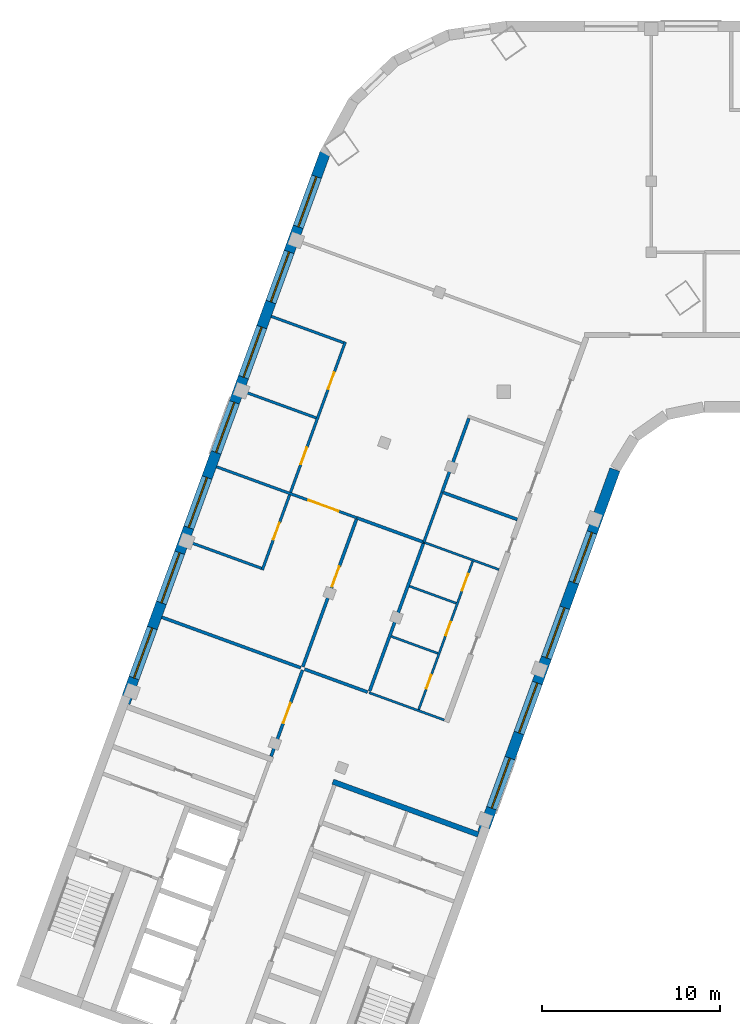
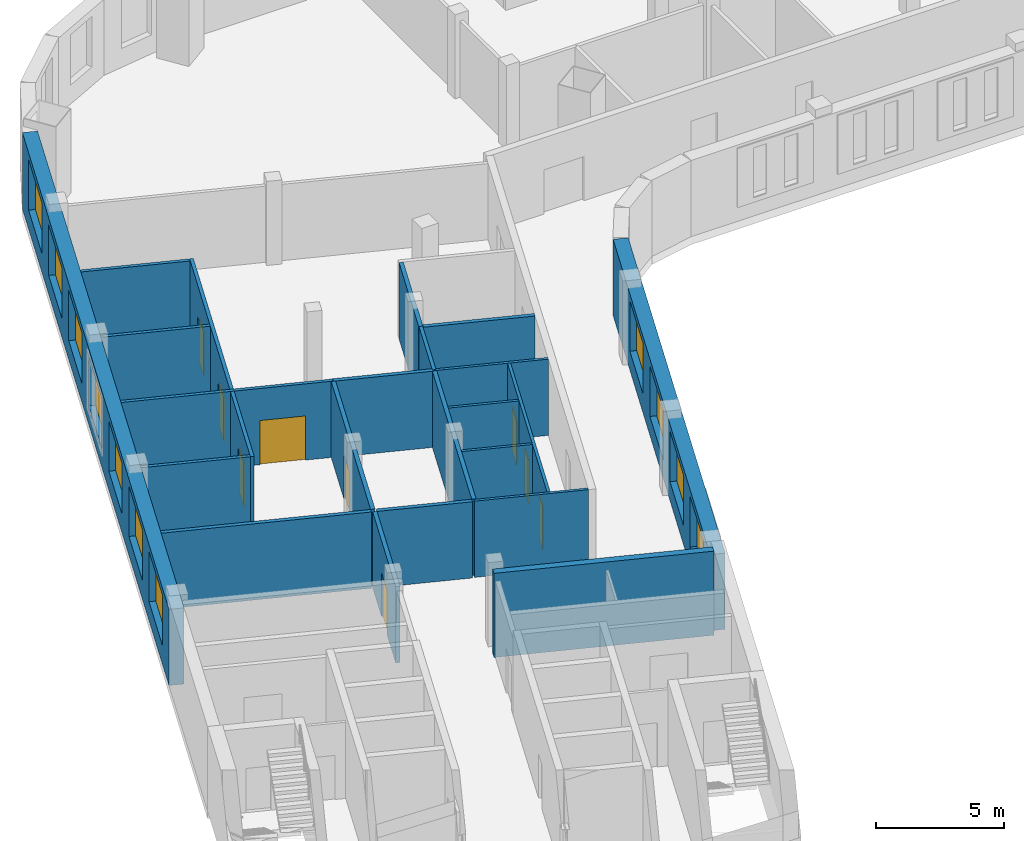
# One storey, part 3 of 8: 22 walls, 11 windows, 9 doors, 20 openings.
"""IFC4 building model written with IfcOpenShell, lengths in metres."""

import ifcopenshell
import ifcopenshell.guid

model = None  # the IFC model being written
_history = None  # IfcOwnerHistory: only IFC2X3 demands one
_inside = {}  # id of a spatial element -> (the spatial element, [elements in it])
_under = {}  # id of a project, library or spatial element -> (it, [spatial elements below it])
_declared = {}  # id of a project -> (the project, [libraries it declares])
_typed = {}  # id of a type object -> (the type object, [elements of that type])
_made_of = {}  # id of a material, layer set ... -> (it, [elements and type objects made of it])


def new_model(schema):
    """Start an empty IFC model of exactly this schema.

    Asked for "IFC4X3", IfcOpenShell would pick the latest addendum, in which some entities
    have other attributes; the version numbers below select the first issue.
    IFC2X3 requires an IfcOwnerHistory on every rooted entity: one is made here for all.
    """
    global model, _history
    if schema == "IFC4X3":
        model = ifcopenshell.file(schema_version=(4, 3, 0, 0))
    else:
        model = ifcopenshell.file(schema=schema)
    _inside.clear()
    _under.clear()
    _declared.clear()
    _typed.clear()
    _made_of.clear()
    _history = None
    if model.schema == "IFC2X3":
        org = make("IfcOrganization", Name="unknown")
        user = make(
            "IfcPersonAndOrganization",
            ThePerson=make("IfcPerson", FamilyName="unknown"),
            TheOrganization=org,
        )
        app = make(
            "IfcApplication",
            ApplicationDeveloper=org,
            Version="unknown",
            ApplicationFullName="unknown",
            ApplicationIdentifier="unknown",
        )
        _history = make(
            "IfcOwnerHistory",
            OwningUser=user,
            OwningApplication=app,
            ChangeAction="ADDED",
            CreationDate=0,
        )
    return model


def make(cls, **values):
    """One entity of the class cls with the attributes given. An attribute that is None is left unset."""
    return model.create_entity(
        cls, **{name: value for name, value in values.items() if value is not None}
    )


def rooted(cls, **values):
    """An entity with a GlobalId (a new one), such as an element, a storey or a relation."""
    return make(cls, GlobalId=ifcopenshell.guid.new(), OwnerHistory=_history, **values)


def si_unit(unit_type, name, prefix=None):
    """IfcSIUnit, for example si_unit("LENGTHUNIT", "METRE", prefix="MILLI")."""
    return make("IfcSIUnit", UnitType=unit_type, Prefix=prefix, Name=name)


def assignment(units):
    """IfcUnitAssignment: the units of a project."""
    return None if units is None else make("IfcUnitAssignment", Units=units)


def point(xyz):
    """IfcCartesianPoint."""
    return None if xyz is None else make("IfcCartesianPoint", Coordinates=xyz)


def direction(xyz):
    """IfcDirection."""
    return None if xyz is None else make("IfcDirection", DirectionRatios=xyz)


def frame(location, z_axis=None, x_axis=None):
    """IfcAxis2Placement3D, a coordinate frame: its origin and axes. An axis left out is left unset."""
    return make(
        "IfcAxis2Placement3D",
        Location=point(location),
        Axis=direction(z_axis),
        RefDirection=direction(x_axis),
    )


def frame_2d(location, x_axis=None):
    """IfcAxis2Placement2D, a coordinate frame in the plane: its origin and x axis."""
    return make(
        "IfcAxis2Placement2D", Location=point(location), RefDirection=direction(x_axis)
    )


def origin():
    """The frame at (0, 0, 0) with its axes left unset."""
    return frame((0.0, 0.0, 0.0))


def place(relative_to, where):
    """IfcLocalPlacement: puts the frame where relative to a parent placement (None: the world)."""
    return make(
        "IfcLocalPlacement", PlacementRelTo=relative_to, RelativePlacement=where
    )


def context(
    kind, dimensions, precision=None, world=None, true_north=None, identifier=None
):
    """IfcGeometricRepresentationContext, for example the 3D "Model" context."""
    return make(
        "IfcGeometricRepresentationContext",
        ContextIdentifier=identifier,
        ContextType=kind,
        CoordinateSpaceDimension=dimensions,
        Precision=precision,
        WorldCoordinateSystem=world,
        TrueNorth=true_north,
    )


def subcontext(parent, identifier, kind, view, scale=None):
    """IfcGeometricRepresentationSubContext, for example "Body" below "Model"."""
    return make(
        "IfcGeometricRepresentationSubContext",
        ContextIdentifier=identifier,
        ContextType=kind,
        ParentContext=parent,
        TargetScale=scale,
        TargetView=view,
    )


def project(units=None, contexts=None):
    """IfcProject with its units and contexts."""
    return rooted(
        "IfcProject",
        Name="project",
        RepresentationContexts=contexts,
        UnitsInContext=assignment(units),
    )


def spatial(cls, under=None, at=None, **own):
    """A site, building, storey or space (cls), placed at a placement, below another one or the project."""
    s = rooted(cls, ObjectPlacement=at, **own)
    if under is not None:
        _under.setdefault(under.id(), (under, []))[1].append(s)
    return s


def profile(cls, at=None, kind="AREA", **sizes):
    """A parametric profile (cls). Its sizes go by their IFC names, for example OverallWidth=200.0."""
    return make(cls, ProfileType=kind, Position=at, **sizes)


def rectangle(**sizes):
    """IfcRectangleProfileDef."""
    return profile("IfcRectangleProfileDef", **sizes)


def extrude(swept, where, along, depth):
    """IfcExtrudedAreaSolid: the profile swept, set in the frame where, extruded along a direction by depth."""
    return make(
        "IfcExtrudedAreaSolid",
        SweptArea=swept,
        Position=where,
        ExtrudedDirection=direction(along),
        Depth=depth,
    )


def shape(context_of_items, identifier, shape_type, items):
    """IfcShapeRepresentation: the items that make up one representation, for example the "Body"."""
    return make(
        "IfcShapeRepresentation",
        ContextOfItems=context_of_items,
        RepresentationIdentifier=identifier,
        RepresentationType=shape_type,
        Items=items,
    )


def material(Name=None, Category=None):
    """IfcMaterial."""
    return make("IfcMaterial", Name=Name, Category=Category)


def layer(
    of_material, thickness, ventilated=None, Name=None, Category=None, Priority=None
):
    """IfcMaterialLayer: one layer of a wall or slab, of a material (None: an air gap)."""
    return make(
        "IfcMaterialLayer",
        Material=of_material,
        LayerThickness=thickness,
        IsVentilated=ventilated,
        Name=Name,
        Category=Category,
        Priority=Priority,
    )


def layer_set(layers, Name=None):
    """IfcMaterialLayerSet."""
    return make("IfcMaterialLayerSet", MaterialLayers=layers, LayerSetName=Name)


def made_of(thing, what):
    """Note that an element or type object is made of a material, layer set ...; save() writes the relation."""
    if what is not None:
        _made_of.setdefault(what.id(), (what, []))[1].append(thing)
    return thing


def type_object(cls, material=None, **own):
    """A type object (cls), such as IfcWallType, which elements share."""
    return made_of(rooted(cls, **own), material)


def element(
    cls,
    number,
    at=None,
    inside=None,
    cuts=None,
    type_object=None,
    material=None,
    context=None,
    identifier="Body",
    shape_type=None,
    held_by="IfcProductDefinitionShape",
    body=None,
    shapes=None,
    **own,
):
    """One element of the class cls, such as IfcWall. Its Tag is "e" and its number.

    at: its placement. inside: the storey or other place that contains it. cuts: it is an
    opening in that element (IfcRelVoidsElement). A single representation is given by context,
    identifier, shape_type and body (its items); several are given by shapes. held_by: the class
    of the entity that holds the representations. save() writes the other relations.
    """
    e = rooted(cls, Tag="e%d" % number, ObjectPlacement=at, **own)
    if body is not None:
        shapes = [shape(context, identifier, shape_type, body)]
    if shapes is not None:
        e.Representation = make(held_by, Representations=shapes)
    if inside is not None:
        _inside.setdefault(inside.id(), (inside, []))[1].append(e)
    if cuts is not None:
        rooted(
            "IfcRelVoidsElement", RelatingBuildingElement=cuts, RelatedOpeningElement=e
        )
    if type_object is not None:
        _typed.setdefault(type_object.id(), (type_object, []))[1].append(e)
    return made_of(e, material)


def fill(opening, filler):
    """IfcRelFillsElement: the door or window that sits in an opening."""
    return rooted(
        "IfcRelFillsElement",
        RelatingOpeningElement=opening,
        RelatedBuildingElement=filler,
    )


def aggregate(whole, parts):
    """IfcRelAggregates: a whole, such as a stair, and the parts it consists of."""
    return rooted("IfcRelAggregates", RelatingObject=whole, RelatedObjects=parts)


def save(model, path):
    """Write the relations noted so far, then the file.

    IfcRelAggregates (storeys below a building ...), IfcRelContainedInSpatialStructure (elements
    in a storey), IfcRelDefinesByType, IfcRelAssociatesMaterial and IfcRelDeclares: one each for
    every whole, place, type object, material and project.
    """
    for whole, parts in _under.values():
        aggregate(whole, parts)
    for where, things in _inside.values():
        rooted(
            "IfcRelContainedInSpatialStructure",
            RelatedElements=things,
            RelatingStructure=where,
        )
    for kind, things in _typed.values():
        rooted("IfcRelDefinesByType", RelatedObjects=things, RelatingType=kind)
    for what, things in _made_of.values():
        rooted("IfcRelAssociatesMaterial", RelatedObjects=things, RelatingMaterial=what)
    for by, libraries in _declared.values():
        rooted("IfcRelDeclares", RelatingContext=by, RelatedDefinitions=libraries)
    model.write(path)


model = new_model("IFC4")

# Units and contexts
model_context = context("Model", 3, precision=1e-05, world=origin(), true_north=direction((0.0, 1.0)))
body_context = subcontext(model_context, "Body", "Model", "MODEL_VIEW")
ifc_project = project(units=[si_unit("LENGTHUNIT", "METRE"), si_unit("AREAUNIT", "SQUARE_METRE"), si_unit("VOLUMEUNIT", "CUBIC_METRE"), si_unit("PLANEANGLEUNIT", "RADIAN"), si_unit("MASSUNIT", "GRAM", prefix="KILO")], contexts=[model_context])

# Site, building, storey
site_placement = place(None, origin())
site = spatial("IfcSite", under=ifc_project, at=site_placement, CompositionType="ELEMENT")
building_placement = place(site_placement, origin())
building = spatial("IfcBuilding", under=site, at=building_placement, Name="Skarvind Civic Tower", CompositionType="ELEMENT")
storey_placement = place(building_placement, frame((0.0, 0.0, 232.0)))
storey = spatial("IfcBuildingStorey", under=building, at=storey_placement, Name="L55", CompositionType="ELEMENT", Elevation=232.0)

# Wall
ifc_material_1 = material(Name="Acoustic gypsum board on steel studs", Category="steel")
ifc_layer_1 = layer(ifc_material_1, 0.175048828125)
ifc_layer_set_1 = layer_set([ifc_layer_1], Name="ACOUSTIC MEETING-ROOM PARTITION 175")
wall_type_1 = type_object("IfcWallType", Name="ACOUSTIC MEETING-ROOM PARTITION 175", PredefinedType="PARTITIONING", material=ifc_layer_set_1)
wall_1_placement = place(storey_placement, frame((26.736083984375, 105.47998046875, 0.0), z_axis=(0.0, 0.0, 1.0), x_axis=(0.939705074886, -0.341985924028, 0.0)))
element("IfcWall", 1, at=wall_1_placement, inside=storey, type_object=wall_type_1, Name="Partition 55.001", PredefinedType="PARTITIONING", context=body_context, shape_type="SweptSolid", body=[
    extrude(rectangle(XDim=8.313232421875, YDim=0.175048828125, at=frame_2d((4.15673828125, 0.0))), origin(), (0.0, 0.0, 1.0), 3.625),
])

# Wall, opening, door
wall_2_placement = place(storey_placement, frame((32.881103515625, 97.656982421875, 0.0), z_axis=(0.0, 0.0, 1.0), x_axis=(0.342058204353, 0.939678766832, 0.0)))
wall_2 = element("IfcWall", 2, at=wall_2_placement, inside=storey, type_object=wall_type_1, Name="Partition 55.009", PredefinedType="PARTITIONING", context=body_context, shape_type="SweptSolid", body=[
    extrude(rectangle(XDim=5.16259765625, YDim=0.175048828125, at=frame_2d((2.581298828125, 0.0))), origin(), (0.0, 0.0, 1.0), 3.625),
])
opening_1_placement = place(wall_2_placement, frame((1.9912109375, 0.0, 0.0)))
opening_1 = element("IfcOpeningElement", 3, at=opening_1_placement, cuts=wall_2, Name="Opening L55-D007", PredefinedType="OPENING", context=body_context, shape_type="SweptSolid", body=[
    extrude(rectangle(XDim=1.199951171875, YDim=2.10009765625, at=frame_2d((0.60009765625, 1.050048828125))), frame((0.0, 0.097412109375, 0.0), z_axis=(0.0, -1.0, 0.0), x_axis=(1.0, 0.0, 0.0)), (0.0, 0.0, 1.0), 0.195068359375),
])
ifc_material_2 = material(Name="Timber door leaf", Category="wood")
door_type_1 = type_object("IfcDoorType", Name="DOOR 1200X2100 DOUBLE TIMBER", OperationType="NOTDEFINED", PredefinedType="DOOR", material=ifc_material_2)
door_1_placement = place(opening_1_placement, origin())
door_1 = element("IfcDoor", 4, at=door_1_placement, inside=storey, type_object=door_type_1, Name="Door L55-D007", OperationType="DOUBLE_DOOR_SINGLE_SWING", OverallHeight=2.10009765625, OverallWidth=1.199951171875, PredefinedType="DOOR", context=body_context, shape_type="SweptSolid", body=[
    extrude(rectangle(XDim=1.199951171875, YDim=2.10009765625, at=frame_2d((0.60009765625, 1.050048828125))), frame((0.0, 0.02490234375, 0.0), z_axis=(0.0, -1.0, 0.0), x_axis=(1.0, 0.0, 0.0)), (0.0, 0.0, 1.0), 0.050048828125),
])
fill(opening_1, door_1)

# Wall
wall_3_placement = place(storey_placement, frame((34.759033203125, 102.56005859375, 0.0), z_axis=(0.0, 0.0, 1.0), x_axis=(0.939770757411, -0.341805388365, 0.0)))
element("IfcWall", 5, at=wall_3_placement, inside=storey, type_object=wall_type_1, Name="Partition 55.010", PredefinedType="PARTITIONING", context=body_context, shape_type="SweptSolid", body=[
    extrude(rectangle(XDim=3.774169921875, YDim=0.175048828125, at=frame_2d((1.88720703125, 0.0))), origin(), (0.0, 0.0, 1.0), 3.625),
])

# Wall, opening, door
wall_4_placement = place(storey_placement, frame((34.659912109375, 102.68896484375, 0.0), z_axis=(0.0, 0.0, 1.0), x_axis=(0.341951828534, 0.939717482524, 0.0)))
wall_4 = element("IfcWall", 6, at=wall_4_placement, inside=storey, type_object=wall_type_1, Name="Partition 55.011", PredefinedType="PARTITIONING", context=body_context, shape_type="SweptSolid", body=[
    extrude(rectangle(XDim=8.825927734375, YDim=0.175048828125, at=frame_2d((4.4130859375, 0.0))), origin(), (0.0, 0.0, 1.0), 3.625),
])
opening_2_placement = place(wall_4_placement, frame((4.81298828125, 0.0, 0.0)))
opening_2 = element("IfcOpeningElement", 7, at=opening_2_placement, cuts=wall_4, Name="Opening L55-D020", PredefinedType="OPENING", context=body_context, shape_type="SweptSolid", body=[
    extrude(rectangle(XDim=1.199951171875, YDim=2.10009765625, at=frame_2d((0.60009765625, 1.050048828125))), frame((0.0, 0.097412109375, 0.0), z_axis=(0.0, -1.0, 0.0), x_axis=(1.0, 0.0, 0.0)), (0.0, 0.0, 1.0), 0.195068359375),
])
door_2_placement = place(opening_2_placement, origin())
door_2 = element("IfcDoor", 8, at=door_2_placement, inside=storey, type_object=door_type_1, Name="Door L55-D020", OperationType="DOUBLE_DOOR_SINGLE_SWING", OverallHeight=2.10009765625, OverallWidth=1.199951171875, PredefinedType="DOOR", context=body_context, shape_type="SweptSolid", body=[
    extrude(rectangle(XDim=1.199951171875, YDim=2.10009765625, at=frame_2d((0.60009765625, 1.050048828125))), frame((0.0, 0.02490234375, 0.0), z_axis=(0.0, -1.0, 0.0), x_axis=(1.0, 0.0, 0.0)), (0.0, 0.0, 1.0), 0.050048828125),
])
fill(opening_2, door_2)

# Walls
wall_5_placement = place(storey_placement, frame((38.41796875, 101.322021484375, 0.0), z_axis=(0.0, 0.0, 1.0), x_axis=(0.342101536507, 0.939662992099, 0.0)))
element("IfcWall", 9, at=wall_5_placement, inside=storey, type_object=wall_type_1, Name="Partition 55.014", PredefinedType="PARTITIONING", context=body_context, shape_type="SweptSolid", body=[
    extrude(rectangle(XDim=8.912841796875, YDim=0.175048828125, at=frame_2d((4.45654296875, 0.0))), origin(), (0.0, 0.0, 1.0), 3.625),
])
wall_6_placement = place(storey_placement, frame((41.467041015625, 109.697021484375, 0.0), z_axis=(0.0, 0.0, 1.0), x_axis=(-0.939713209288, 0.341963571582, 0.0)))
element("IfcWall", 10, at=wall_6_placement, inside=storey, type_object=wall_type_1, Name="Partition 55.017", PredefinedType="PARTITIONING", context=body_context, shape_type="SweptSolid", body=[
    extrude(rectangle(XDim=4.000244140625, YDim=0.175048828125, at=frame_2d((2.0, 0.0))), origin(), (0.0, 0.0, 1.0), 3.625),
])
wall_7_placement = place(storey_placement, frame((42.574951171875, 112.486083984375, 0.0), z_axis=(0.0, 0.0, 1.0), x_axis=(0.939620446327, -0.342218375959, 0.0)))
element("IfcWall", 11, at=wall_7_placement, inside=storey, type_object=wall_type_1, Name="Partition 55.022", PredefinedType="PARTITIONING", context=body_context, shape_type="SweptSolid", body=[
    extrude(rectangle(XDim=4.412353515625, YDim=0.175048828125, at=frame_2d((2.2060546875, 0.0))), origin(), (0.0, 0.0, 1.0), 3.625),
])
wall_8_placement = place(storey_placement, frame((44.001953125, 116.662109375, 0.0), z_axis=(0.0, 0.0, 1.0), x_axis=(-0.342022951975, -0.939691598517, 0.0)))
element("IfcWall", 12, at=wall_8_placement, inside=storey, type_object=wall_type_1, Name="Partition 55.026", PredefinedType="PARTITIONING", context=body_context, shape_type="SweptSolid", body=[
    extrude(rectangle(XDim=4.412109375, YDim=0.175048828125, at=frame_2d((2.2060546875, 0.0))), origin(), (0.0, 0.0, 1.0), 3.625),
])
ifc_material_3 = material(Name="Concrete C60", Category="concrete")
ifc_layer_2 = layer(ifc_material_3, 0.300048828125)
ifc_layer_set_2 = layer_set([ifc_layer_2], Name="Core wall 300 C60")
wall_type_2 = type_object("IfcWallType", Name="Core wall 300 C60", PredefinedType="SHEAR", material=ifc_layer_set_2)
wall_9_placement = place(storey_placement, frame((44.52880859375, 93.258056640625, 0.0), z_axis=(0.0, 0.0, 1.0), x_axis=(-0.9396917844, 0.342022441267, 0.0)))
element("IfcWall", 13, at=wall_9_placement, inside=storey, type_object=wall_type_2, Name="Core wall C2 south inner face L55", PredefinedType="SHEAR", context=body_context, shape_type="SweptSolid", body=[
    extrude(rectangle(XDim=8.699951171875, YDim=0.300048828125, at=frame_2d((4.35009765625, 0.0))), origin(), (0.0, 0.0, 1.0), 4.0),
])

# Wall, opening, door
ifc_material_4 = material(Name="Plasterboard partition on steel studs", Category="steel")
ifc_layer_3 = layer(ifc_material_4, 0.14990234375)
ifc_layer_set_3 = layer_set([ifc_layer_3], Name="PARTITION 150")
wall_type_3 = type_object("IfcWallType", Name="PARTITION 150", PredefinedType="PARTITIONING", material=ifc_layer_set_3)
wall_10_placement = place(storey_placement, frame((29.81396484375, 113.93798828125, 0.0), z_axis=(0.0, 0.0, 1.0), x_axis=(0.939698351515, -0.342004397867, 0.0)))
wall_10 = element("IfcWall", 14, at=wall_10_placement, inside=storey, type_object=wall_type_3, Name="Partition 55.002", PredefinedType="PARTITIONING", context=body_context, shape_type="SweptSolid", body=[
    extrude(rectangle(XDim=8.400634765625, YDim=0.14990234375, at=frame_2d((4.2001953125, 0.0))), origin(), (0.0, 0.0, 1.0), 3.625),
])
opening_3_placement = place(wall_10_placement, frame((5.50048828125, 0.0, 0.0)))
opening_3 = element("IfcOpeningElement", 15, at=opening_3_placement, cuts=wall_10, Name="Opening L55-D013", PredefinedType="OPENING", context=body_context, shape_type="SweptSolid", body=[
    extrude(rectangle(XDim=1.800048828125, YDim=2.10009765625, at=frame_2d((0.89990234375, 1.050048828125))), frame((0.0, 0.0849609375, 0.0), z_axis=(0.0, -1.0, 0.0), x_axis=(1.0, 0.0, 0.0)), (0.0, 0.0, 1.0), 0.169921875),
])
door_type_2 = type_object("IfcDoorType", Name="D4 1800x2100", OperationType="NOTDEFINED", PredefinedType="DOOR", material=ifc_material_2)
door_3_placement = place(opening_3_placement, origin())
door_3 = element("IfcDoor", 16, at=door_3_placement, inside=storey, type_object=door_type_2, Name="Door L55-D013", OperationType="DOUBLE_DOOR_SINGLE_SWING", OverallHeight=2.10009765625, OverallWidth=1.800048828125, PredefinedType="DOOR", context=body_context, shape_type="SweptSolid", body=[
    extrude(rectangle(XDim=1.800048828125, YDim=2.10009765625, at=frame_2d((0.89990234375, 1.050048828125))), frame((0.0, 0.02490234375, 0.0), z_axis=(0.0, -1.0, 0.0), x_axis=(1.0, 0.0, 0.0)), (0.0, 0.0, 1.0), 0.050048828125),
])
fill(opening_3, door_3)

# Walls
wall_11_placement = place(storey_placement, frame((31.35302734375, 118.166015625, 0.0), z_axis=(0.0, 0.0, 1.0), x_axis=(0.939803311208, -0.341715870634, 0.0)))
element("IfcWall", 17, at=wall_11_placement, inside=storey, type_object=wall_type_3, Name="Partition 55.003", PredefinedType="PARTITIONING", context=body_context, shape_type="SweptSolid", body=[
    extrude(rectangle(XDim=4.3251953125, YDim=0.14990234375, at=frame_2d((2.16259765625, 0.0))), origin(), (0.0, 0.0, 1.0), 3.625),
])
wall_12_placement = place(storey_placement, frame((32.340087890625, 108.22998046875, 0.0), z_axis=(0.0, 0.0, 1.0), x_axis=(-0.939737385516, 0.341897128188, 0.0)))
element("IfcWall", 18, at=wall_12_placement, inside=storey, type_object=wall_type_3, Name="Partition 55.004", PredefinedType="PARTITIONING", context=body_context, shape_type="SweptSolid", body=[
    extrude(rectangle(XDim=4.325927734375, YDim=0.14990234375, at=frame_2d((2.1630859375, 0.0))), origin(), (0.0, 0.0, 1.0), 3.625),
])

# Wall, openings, doors
wall_13_placement = place(storey_placement, frame((37.052978515625, 120.9599609375, 0.0), z_axis=(0.0, 0.0, 1.0), x_axis=(-0.342064742067, -0.939676386973, 0.0)))
wall_13 = element("IfcWall", 19, at=wall_13_placement, inside=storey, type_object=wall_type_3, Name="Partition 55.005", PredefinedType="PARTITIONING", context=body_context, shape_type="SweptSolid", body=[
    extrude(rectangle(XDim=13.6494140625, YDim=0.14990234375, at=frame_2d((6.82470703125, 0.0))), origin(), (0.0, 0.0, 1.0), 3.625),
])
opening_4_placement = place(wall_13_placement, frame((10.824462890625, 0.0, 0.0)))
opening_4 = element("IfcOpeningElement", 20, at=opening_4_placement, cuts=wall_13, Name="Opening L55-D012", PredefinedType="OPENING", context=body_context, shape_type="SweptSolid", body=[
    extrude(rectangle(XDim=1.0, YDim=2.10009765625, at=frame_2d((0.5, 1.050048828125))), frame((0.0, 0.0849609375, 0.0), z_axis=(0.0, -1.0, 0.0), x_axis=(1.0, 0.0, 0.0)), (0.0, 0.0, 1.0), 0.169921875),
])
opening_5_placement = place(wall_13_placement, frame((6.32421875, 0.0, 0.0)))
opening_5 = element("IfcOpeningElement", 21, at=opening_5_placement, cuts=wall_13, Name="Opening L55-D016", PredefinedType="OPENING", context=body_context, shape_type="SweptSolid", body=[
    extrude(rectangle(XDim=1.0, YDim=2.10009765625, at=frame_2d((0.5, 1.050048828125))), frame((0.0, 0.0849609375, 0.0), z_axis=(0.0, -1.0, 0.0), x_axis=(1.0, 0.0, 0.0)), (0.0, 0.0, 1.0), 0.169921875),
])
opening_6_placement = place(wall_13_placement, frame((1.82421875, 0.0, 0.0)))
opening_6 = element("IfcOpeningElement", 22, at=opening_6_placement, cuts=wall_13, Name="Opening L55-D017", PredefinedType="OPENING", context=body_context, shape_type="SweptSolid", body=[
    extrude(rectangle(XDim=1.0, YDim=2.10009765625, at=frame_2d((0.5, 1.050048828125))), frame((0.0, 0.0849609375, 0.0), z_axis=(0.0, -1.0, 0.0), x_axis=(1.0, 0.0, 0.0)), (0.0, 0.0, 1.0), 0.169921875),
])
door_type_3 = type_object("IfcDoorType", Name="D1 1000x2100", OperationType="NOTDEFINED", PredefinedType="DOOR", material=ifc_material_2)
door_4_placement = place(opening_4_placement, origin())
door_4 = element("IfcDoor", 23, at=door_4_placement, inside=storey, type_object=door_type_3, Name="Door L55-D012", OperationType="SINGLE_SWING_LEFT", OverallHeight=2.10009765625, OverallWidth=1.0, PredefinedType="DOOR", context=body_context, shape_type="SweptSolid", body=[
    extrude(rectangle(XDim=1.0, YDim=2.10009765625, at=frame_2d((0.5, 1.050048828125))), frame((0.0, 0.02490234375, 0.0), z_axis=(0.0, -1.0, 0.0), x_axis=(1.0, 0.0, 0.0)), (0.0, 0.0, 1.0), 0.050048828125),
])
fill(opening_4, door_4)
door_5_placement = place(opening_5_placement, origin())
door_5 = element("IfcDoor", 24, at=door_5_placement, inside=storey, type_object=door_type_3, Name="Door L55-D016", OperationType="SINGLE_SWING_RIGHT", OverallHeight=2.10009765625, OverallWidth=1.0, PredefinedType="DOOR", context=body_context, shape_type="SweptSolid", body=[
    extrude(rectangle(XDim=1.0, YDim=2.10009765625, at=frame_2d((0.5, 1.050048828125))), frame((0.0, 0.02490234375, 0.0), z_axis=(0.0, -1.0, 0.0), x_axis=(1.0, 0.0, 0.0)), (0.0, 0.0, 1.0), 0.050048828125),
])
fill(opening_5, door_5)
door_6_placement = place(opening_6_placement, origin())
door_6 = element("IfcDoor", 25, at=door_6_placement, inside=storey, type_object=door_type_3, Name="Door L55-D017", OperationType="SINGLE_SWING_LEFT", OverallHeight=2.10009765625, OverallWidth=1.0, PredefinedType="DOOR", context=body_context, shape_type="SweptSolid", body=[
    extrude(rectangle(XDim=1.0, YDim=2.10009765625, at=frame_2d((0.5, 1.050048828125))), frame((0.0, 0.02490234375, 0.0), z_axis=(0.0, -1.0, 0.0), x_axis=(1.0, 0.0, 0.0)), (0.0, 0.0, 1.0), 0.050048828125),
])
fill(opening_6, door_6)

# Walls
wall_14_placement = place(storey_placement, frame((32.89208984375, 122.39501953125, 0.0), z_axis=(0.0, 0.0, 1.0), x_axis=(0.93973078783, -0.341915262023, 0.0)))
element("IfcWall", 26, at=wall_14_placement, inside=storey, type_object=wall_type_3, Name="Partition 55.006", PredefinedType="PARTITIONING", context=body_context, shape_type="SweptSolid", body=[
    extrude(rectangle(XDim=4.32568359375, YDim=0.14990234375, at=frame_2d((2.162841796875, 0.0))), origin(), (0.0, 0.0, 1.0), 3.625),
])
wall_15_placement = place(storey_placement, frame((42.492919921875, 112.51611328125, 0.0), z_axis=(0.0, 0.0, 1.0), x_axis=(-0.341965219194, -0.939712609717, 0.0)))
element("IfcWall", 27, at=wall_15_placement, inside=storey, type_object=wall_type_3, Name="Partition 55.021", PredefinedType="PARTITIONING", context=body_context, shape_type="SweptSolid", body=[
    extrude(rectangle(XDim=3.0, YDim=0.14990234375, at=frame_2d((1.5, 0.0))), origin(), (0.0, 0.0, 1.0), 3.625),
])
ifc_material_5 = material(Name="Moisture-resistant gypsum board on steel studs", Category="steel")
ifc_layer_4 = layer(ifc_material_5, 0.125)
ifc_layer_set_4 = layer_set([ifc_layer_4], Name="WC PARTITION 125")
wall_type_4 = type_object("IfcWallType", Name="WC PARTITION 125", PredefinedType="PARTITIONING", material=ifc_layer_set_4)
wall_16_placement = place(storey_placement, frame((38.385009765625, 101.239990234375, 0.0), z_axis=(0.0, 0.0, 1.0), x_axis=(0.939711088937, -0.341969398235, 0.0)))
element("IfcWall", 28, at=wall_16_placement, inside=storey, type_object=wall_type_4, Name="Partition 55.012", PredefinedType="PARTITIONING", context=body_context, shape_type="SweptSolid", body=[
    extrude(rectangle(XDim=4.50341796875, YDim=0.125, at=frame_2d((2.251708984375, 0.0))), origin(), (0.0, 0.0, 1.0), 3.625),
])

# Wall, openings, doors
wall_17_placement = place(storey_placement, frame((41.180908203125, 100.2900390625, 0.0), z_axis=(0.0, 0.0, 1.0), x_axis=(0.34222012082, 0.939619810831, 0.0)))
wall_17 = element("IfcWall", 29, at=wall_17_placement, inside=storey, type_object=wall_type_4, Name="Partition 55.016", PredefinedType="PARTITIONING", context=body_context, shape_type="SweptSolid", body=[
    extrude(rectangle(XDim=8.874755859375, YDim=0.125, at=frame_2d((4.4375, 0.0))), origin(), (0.0, 0.0, 1.0), 3.625),
])
opening_7_placement = place(wall_17_placement, frame((1.25830078125, 0.0, 0.0)))
opening_7 = element("IfcOpeningElement", 30, at=opening_7_placement, cuts=wall_17, Name="Opening L55-D009", PredefinedType="OPENING", context=body_context, shape_type="SweptSolid", body=[
    extrude(rectangle(XDim=0.800048828125, YDim=2.10009765625, at=frame_2d((0.39990234375, 1.050048828125))), frame((0.0, 0.072509765625, 0.0), z_axis=(0.0, -1.0, 0.0), x_axis=(1.0, 0.0, 0.0)), (0.0, 0.0, 1.0), 0.14501953125),
])
opening_8_placement = place(wall_17_placement, frame((4.43701171875, 0.0, 0.0)))
opening_8 = element("IfcOpeningElement", 31, at=opening_8_placement, cuts=wall_17, Name="Opening L55-D010", PredefinedType="OPENING", context=body_context, shape_type="SweptSolid", body=[
    extrude(rectangle(XDim=0.800048828125, YDim=2.10009765625, at=frame_2d((0.39990234375, 1.050048828125))), frame((0.0, 0.072509765625, 0.0), z_axis=(0.0, -1.0, 0.0), x_axis=(1.0, 0.0, 0.0)), (0.0, 0.0, 1.0), 0.14501953125),
])
opening_9_placement = place(wall_17_placement, frame((7.1162109375, 0.0, 0.0)))
opening_9 = element("IfcOpeningElement", 32, at=opening_9_placement, cuts=wall_17, Name="Opening L55-D011", PredefinedType="OPENING", context=body_context, shape_type="SweptSolid", body=[
    extrude(rectangle(XDim=1.0, YDim=2.10009765625, at=frame_2d((0.5, 1.050048828125))), frame((0.0, 0.072509765625, 0.0), z_axis=(0.0, -1.0, 0.0), x_axis=(1.0, 0.0, 0.0)), (0.0, 0.0, 1.0), 0.14501953125),
])
door_7_placement = place(opening_9_placement, origin())
door_7 = element("IfcDoor", 33, at=door_7_placement, inside=storey, type_object=door_type_3, Name="Door L55-D011", OperationType="SINGLE_SWING_LEFT", OverallHeight=2.10009765625, OverallWidth=1.0, PredefinedType="DOOR", context=body_context, shape_type="SweptSolid", body=[
    extrude(rectangle(XDim=1.0, YDim=2.10009765625, at=frame_2d((0.5, 1.050048828125))), frame((0.0, 0.02490234375, 0.0), z_axis=(0.0, -1.0, 0.0), x_axis=(1.0, 0.0, 0.0)), (0.0, 0.0, 1.0), 0.050048828125),
])
fill(opening_9, door_7)
door_type_4 = type_object("IfcDoorType", Name="DOOR 800X2100 TIMBER", OperationType="NOTDEFINED", PredefinedType="DOOR", material=ifc_material_2)
door_8_placement = place(opening_7_placement, origin())
door_8 = element("IfcDoor", 34, at=door_8_placement, inside=storey, type_object=door_type_4, Name="Door L55-D009", OperationType="SINGLE_SWING_LEFT", OverallHeight=2.10009765625, OverallWidth=0.800048828125, PredefinedType="DOOR", context=body_context, shape_type="SweptSolid", body=[
    extrude(rectangle(XDim=0.800048828125, YDim=2.10009765625, at=frame_2d((0.39990234375, 1.050048828125))), frame((0.0, 0.02490234375, 0.0), z_axis=(0.0, -1.0, 0.0), x_axis=(1.0, 0.0, 0.0)), (0.0, 0.0, 1.0), 0.050048828125),
])
fill(opening_7, door_8)
door_9_placement = place(opening_8_placement, origin())
door_9 = element("IfcDoor", 35, at=door_9_placement, inside=storey, type_object=door_type_4, Name="Door L55-D010", OperationType="SINGLE_SWING_LEFT", OverallHeight=2.10009765625, OverallWidth=0.800048828125, PredefinedType="DOOR", context=body_context, shape_type="SweptSolid", body=[
    extrude(rectangle(XDim=0.800048828125, YDim=2.10009765625, at=frame_2d((0.39990234375, 1.050048828125))), frame((0.0, 0.02490234375, 0.0), z_axis=(0.0, -1.0, 0.0), x_axis=(1.0, 0.0, 0.0)), (0.0, 0.0, 1.0), 0.050048828125),
])
fill(opening_8, door_9)

# Walls
wall_18_placement = place(storey_placement, frame((41.467041015625, 109.697021484375, 0.0), z_axis=(0.0, 0.0, 1.0), x_axis=(0.939609529273, -0.342248349154, 0.0)))
element("IfcWall", 36, at=wall_18_placement, inside=storey, type_object=wall_type_4, Name="Partition 55.018", PredefinedType="PARTITIONING", context=body_context, shape_type="SweptSolid", body=[
    extrude(rectangle(XDim=4.499755859375, YDim=0.125, at=frame_2d((2.25, 0.0))), origin(), (0.0, 0.0, 1.0), 3.625),
])
wall_19_placement = place(storey_placement, frame((42.263916015625, 103.446044921875, 0.0), z_axis=(0.0, 0.0, 1.0), x_axis=(-0.939640574808, 0.342163104635, 0.0)))
element("IfcWall", 37, at=wall_19_placement, inside=storey, type_object=wall_type_4, Name="Partition 55.019", PredefinedType="PARTITIONING", context=body_context, shape_type="SweptSolid", body=[
    extrude(rectangle(XDim=2.7998046875, YDim=0.125, at=frame_2d((1.39990234375, 0.0))), origin(), (0.0, 0.0, 1.0), 3.625),
])
wall_20_placement = place(storey_placement, frame((43.2900390625, 106.26611328125, 0.0), z_axis=(0.0, 0.0, 1.0), x_axis=(-0.939650782256, 0.342135071873, 0.0)))
element("IfcWall", 38, at=wall_20_placement, inside=storey, type_object=wall_type_4, Name="Partition 55.024", PredefinedType="PARTITIONING", context=body_context, shape_type="SweptSolid", body=[
    extrude(rectangle(XDim=2.800048828125, YDim=0.125, at=frame_2d((1.39990234375, 0.0))), origin(), (0.0, 0.0, 1.0), 3.625),
])

# Wall, openings, windows
ifc_material_6 = material(Name="Limestone masonry cladding on insulated backing", Category="masonry")
ifc_layer_5 = layer(ifc_material_6, 0.60009765625)
ifc_layer_set_5 = layer_set([ifc_layer_5], Name="WX1 STONE FACADE WALL 600")
wall_type_5 = type_object("IfcWallType", Name="WX1 STONE FACADE WALL 600", PredefinedType="SOLIDWALL", material=ifc_layer_set_5)
wall_21_placement = place(storey_placement, frame((52.212158203125, 113.78271484375, 0.0), z_axis=(0.0, 0.0, 1.0), x_axis=(-0.34202521188, -0.939690775968, 0.0)))
wall_21 = element("IfcWall", 39, at=wall_21_placement, inside=storey, type_object=wall_type_5, Name="STONE FACADE WALL", PredefinedType="SOLIDWALL", context=body_context, shape_type="SweptSolid", body=[
    extrude(rectangle(XDim=21.744873046875, YDim=0.60009765625, at=frame_2d((10.87255859375, 0.0))), origin(), (0.0, 0.0, 1.0), 3.625),
])
opening_10_placement = place(wall_21_placement, frame((3.764892578125, 0.0, 0.89990234375)))
opening_10 = element("IfcOpeningElement", 40, at=opening_10_placement, cuts=wall_21, Name="Opening WN1", PredefinedType="OPENING", context=body_context, shape_type="SweptSolid", body=[
    extrude(rectangle(XDim=3.0, YDim=2.39990234375, at=frame_2d((1.5, 1.199951171875))), frame((0.0, 0.31005859375, 0.0), z_axis=(0.0, -1.0, 0.0), x_axis=(1.0, 0.0, 0.0)), (0.0, 0.0, 1.0), 0.6201171875),
])
opening_11_placement = place(wall_21_placement, frame((8.264892578125, 0.0, 0.89990234375)))
opening_11 = element("IfcOpeningElement", 41, at=opening_11_placement, cuts=wall_21, Name="Opening WN1", PredefinedType="OPENING", context=body_context, shape_type="SweptSolid", body=[
    extrude(rectangle(XDim=3.0, YDim=2.39990234375, at=frame_2d((1.5, 1.199951171875))), frame((0.0, 0.31005859375, 0.0), z_axis=(0.0, -1.0, 0.0), x_axis=(1.0, 0.0, 0.0)), (0.0, 0.0, 1.0), 0.6201171875),
])
opening_12_placement = place(wall_21_placement, frame((12.764892578125, 0.0, 0.89990234375)))
opening_12 = element("IfcOpeningElement", 42, at=opening_12_placement, cuts=wall_21, Name="Opening WN1", PredefinedType="OPENING", context=body_context, shape_type="SweptSolid", body=[
    extrude(rectangle(XDim=3.0, YDim=2.39990234375, at=frame_2d((1.5, 1.199951171875))), frame((0.0, 0.31005859375, 0.0), z_axis=(0.0, -1.0, 0.0), x_axis=(1.0, 0.0, 0.0)), (0.0, 0.0, 1.0), 0.6201171875),
])
opening_13_placement = place(wall_21_placement, frame((17.264892578125, 0.0, 0.89990234375)))
opening_13 = element("IfcOpeningElement", 43, at=opening_13_placement, cuts=wall_21, Name="Opening WN1", PredefinedType="OPENING", context=body_context, shape_type="SweptSolid", body=[
    extrude(rectangle(XDim=3.0, YDim=2.39990234375, at=frame_2d((1.5, 1.199951171875))), frame((0.0, 0.31005859375, 0.0), z_axis=(0.0, -1.0, 0.0), x_axis=(1.0, 0.0, 0.0)), (0.0, 0.0, 1.0), 0.6201171875),
])
ifc_material_7 = material(Name="Timber frame, double glazing, timber-lined reveal", Category="wood")
window_type = type_object("IfcWindowType", Name="WN1 PUNCHED STONE WINDOW 3000 x 2400", PartitioningType="SINGLE_PANEL", PredefinedType="WINDOW", material=ifc_material_7)
window_1_placement = place(opening_10_placement, origin())
window_1 = element("IfcWindow", 44, at=window_1_placement, inside=storey, type_object=window_type, Name="WN1 WINDOW", OverallHeight=2.39990234375, OverallWidth=3.0, PartitioningType="SINGLE_PANEL", PredefinedType="WINDOW", context=body_context, shape_type="SweptSolid", body=[
    extrude(rectangle(XDim=3.0, YDim=2.39990234375, at=frame_2d((1.5, 1.199951171875))), frame((0.0, 0.030029296875, 0.0), z_axis=(0.0, -1.0, 0.0), x_axis=(1.0, 0.0, 0.0)), (0.0, 0.0, 1.0), 0.06005859375),
])
fill(opening_10, window_1)
window_2_placement = place(opening_11_placement, origin())
window_2 = element("IfcWindow", 45, at=window_2_placement, inside=storey, type_object=window_type, Name="WN1 WINDOW", OverallHeight=2.39990234375, OverallWidth=3.0, PartitioningType="SINGLE_PANEL", PredefinedType="WINDOW", context=body_context, shape_type="SweptSolid", body=[
    extrude(rectangle(XDim=3.0, YDim=2.39990234375, at=frame_2d((1.5, 1.199951171875))), frame((0.0, 0.030029296875, 0.0), z_axis=(0.0, -1.0, 0.0), x_axis=(1.0, 0.0, 0.0)), (0.0, 0.0, 1.0), 0.06005859375),
])
fill(opening_11, window_2)
window_3_placement = place(opening_12_placement, origin())
window_3 = element("IfcWindow", 46, at=window_3_placement, inside=storey, type_object=window_type, Name="WN1 WINDOW", OverallHeight=2.39990234375, OverallWidth=3.0, PartitioningType="SINGLE_PANEL", PredefinedType="WINDOW", context=body_context, shape_type="SweptSolid", body=[
    extrude(rectangle(XDim=3.0, YDim=2.39990234375, at=frame_2d((1.5, 1.199951171875))), frame((0.0, 0.030029296875, 0.0), z_axis=(0.0, -1.0, 0.0), x_axis=(1.0, 0.0, 0.0)), (0.0, 0.0, 1.0), 0.06005859375),
])
fill(opening_12, window_3)
window_4_placement = place(opening_13_placement, origin())
window_4 = element("IfcWindow", 47, at=window_4_placement, inside=storey, type_object=window_type, Name="WN1 WINDOW", OverallHeight=2.39990234375, OverallWidth=3.0, PartitioningType="SINGLE_PANEL", PredefinedType="WINDOW", context=body_context, shape_type="SweptSolid", body=[
    extrude(rectangle(XDim=3.0, YDim=2.39990234375, at=frame_2d((1.5, 1.199951171875))), frame((0.0, 0.030029296875, 0.0), z_axis=(0.0, -1.0, 0.0), x_axis=(1.0, 0.0, 0.0)), (0.0, 0.0, 1.0), 0.06005859375),
])
fill(opening_13, window_4)

wall_22_placement = place(storey_placement, frame((24.66552734375, 100.668701171875, 0.0), z_axis=(0.0, 0.0, 1.0), x_axis=(0.34201964167, 0.939692803373, 0.0)))
wall_22 = element("IfcWall", 48, at=wall_22_placement, inside=storey, type_object=wall_type_5, Name="STONE FACADE WALL", PredefinedType="SOLIDWALL", context=body_context, shape_type="SweptSolid", body=[
    extrude(rectangle(XDim=32.88427734375, YDim=0.60009765625, at=frame_2d((16.442138671875, 0.0))), origin(), (0.0, 0.0, 1.0), 3.625),
])
opening_14_placement = place(wall_22_placement, frame((1.47998046875, 0.0, 0.89990234375)))
opening_14 = element("IfcOpeningElement", 49, at=opening_14_placement, cuts=wall_22, Name="Opening WN1", PredefinedType="OPENING", context=body_context, shape_type="SweptSolid", body=[
    extrude(rectangle(XDim=3.0, YDim=2.39990234375, at=frame_2d((1.5, 1.199951171875))), frame((0.0, 0.31005859375, 0.0), z_axis=(0.0, -1.0, 0.0), x_axis=(1.0, 0.0, 0.0)), (0.0, 0.0, 1.0), 0.6201171875),
])
opening_15_placement = place(wall_22_placement, frame((5.97998046875, 0.0, 0.89990234375)))
opening_15 = element("IfcOpeningElement", 50, at=opening_15_placement, cuts=wall_22, Name="Opening WN1", PredefinedType="OPENING", context=body_context, shape_type="SweptSolid", body=[
    extrude(rectangle(XDim=3.0, YDim=2.39990234375, at=frame_2d((1.5, 1.199951171875))), frame((0.0, 0.31005859375, 0.0), z_axis=(0.0, -1.0, 0.0), x_axis=(1.0, 0.0, 0.0)), (0.0, 0.0, 1.0), 0.6201171875),
])
opening_16_placement = place(wall_22_placement, frame((10.47998046875, 0.0, 0.89990234375)))
opening_16 = element("IfcOpeningElement", 51, at=opening_16_placement, cuts=wall_22, Name="Opening WN1", PredefinedType="OPENING", context=body_context, shape_type="SweptSolid", body=[
    extrude(rectangle(XDim=3.0, YDim=2.39990234375, at=frame_2d((1.5, 1.199951171875))), frame((0.0, 0.31005859375, 0.0), z_axis=(0.0, -1.0, 0.0), x_axis=(1.0, 0.0, 0.0)), (0.0, 0.0, 1.0), 0.6201171875),
])
opening_17_placement = place(wall_22_placement, frame((14.97998046875, 0.0, 0.89990234375)))
opening_17 = element("IfcOpeningElement", 52, at=opening_17_placement, cuts=wall_22, Name="Opening WN1", PredefinedType="OPENING", context=body_context, shape_type="SweptSolid", body=[
    extrude(rectangle(XDim=3.0, YDim=2.39990234375, at=frame_2d((1.5, 1.199951171875))), frame((0.0, 0.31005859375, 0.0), z_axis=(0.0, -1.0, 0.0), x_axis=(1.0, 0.0, 0.0)), (0.0, 0.0, 1.0), 0.6201171875),
])
opening_18_placement = place(wall_22_placement, frame((19.47998046875, 0.0, 0.89990234375)))
opening_18 = element("IfcOpeningElement", 53, at=opening_18_placement, cuts=wall_22, Name="Opening WN1", PredefinedType="OPENING", context=body_context, shape_type="SweptSolid", body=[
    extrude(rectangle(XDim=3.0, YDim=2.39990234375, at=frame_2d((1.5, 1.199951171875))), frame((0.0, 0.31005859375, 0.0), z_axis=(0.0, -1.0, 0.0), x_axis=(1.0, 0.0, 0.0)), (0.0, 0.0, 1.0), 0.6201171875),
])
opening_19_placement = place(wall_22_placement, frame((23.97998046875, 0.0, 0.89990234375)))
opening_19 = element("IfcOpeningElement", 54, at=opening_19_placement, cuts=wall_22, Name="Opening WN1", PredefinedType="OPENING", context=body_context, shape_type="SweptSolid", body=[
    extrude(rectangle(XDim=3.0, YDim=2.39990234375, at=frame_2d((1.5, 1.199951171875))), frame((0.0, 0.31005859375, 0.0), z_axis=(0.0, -1.0, 0.0), x_axis=(1.0, 0.0, 0.0)), (0.0, 0.0, 1.0), 0.6201171875),
])
opening_20_placement = place(wall_22_placement, frame((28.47998046875, 0.0, 0.89990234375)))
opening_20 = element("IfcOpeningElement", 55, at=opening_20_placement, cuts=wall_22, Name="Opening WN1", PredefinedType="OPENING", context=body_context, shape_type="SweptSolid", body=[
    extrude(rectangle(XDim=3.0, YDim=2.39990234375, at=frame_2d((1.5, 1.199951171875))), frame((0.0, 0.31005859375, 0.0), z_axis=(0.0, -1.0, 0.0), x_axis=(1.0, 0.0, 0.0)), (0.0, 0.0, 1.0), 0.6201171875),
])
window_5_placement = place(opening_14_placement, origin())
window_5 = element("IfcWindow", 56, at=window_5_placement, inside=storey, type_object=window_type, Name="WN1 WINDOW", OverallHeight=2.39990234375, OverallWidth=3.0, PartitioningType="SINGLE_PANEL", PredefinedType="WINDOW", context=body_context, shape_type="SweptSolid", body=[
    extrude(rectangle(XDim=3.0, YDim=2.39990234375, at=frame_2d((1.5, 1.199951171875))), frame((0.0, 0.030029296875, 0.0), z_axis=(0.0, -1.0, 0.0), x_axis=(1.0, 0.0, 0.0)), (0.0, 0.0, 1.0), 0.06005859375),
])
fill(opening_14, window_5)
window_6_placement = place(opening_15_placement, origin())
window_6 = element("IfcWindow", 57, at=window_6_placement, inside=storey, type_object=window_type, Name="WN1 WINDOW", OverallHeight=2.39990234375, OverallWidth=3.0, PartitioningType="SINGLE_PANEL", PredefinedType="WINDOW", context=body_context, shape_type="SweptSolid", body=[
    extrude(rectangle(XDim=3.0, YDim=2.39990234375, at=frame_2d((1.5, 1.199951171875))), frame((0.0, 0.030029296875, 0.0), z_axis=(0.0, -1.0, 0.0), x_axis=(1.0, 0.0, 0.0)), (0.0, 0.0, 1.0), 0.06005859375),
])
fill(opening_15, window_6)
window_7_placement = place(opening_16_placement, origin())
window_7 = element("IfcWindow", 58, at=window_7_placement, inside=storey, type_object=window_type, Name="WN1 WINDOW", OverallHeight=2.39990234375, OverallWidth=3.0, PartitioningType="SINGLE_PANEL", PredefinedType="WINDOW", context=body_context, shape_type="SweptSolid", body=[
    extrude(rectangle(XDim=3.0, YDim=2.39990234375, at=frame_2d((1.5, 1.199951171875))), frame((0.0, 0.030029296875, 0.0), z_axis=(0.0, -1.0, 0.0), x_axis=(1.0, 0.0, 0.0)), (0.0, 0.0, 1.0), 0.06005859375),
])
fill(opening_16, window_7)
window_8_placement = place(opening_17_placement, origin())
window_8 = element("IfcWindow", 59, at=window_8_placement, inside=storey, type_object=window_type, Name="WN1 WINDOW", OverallHeight=2.39990234375, OverallWidth=3.0, PartitioningType="SINGLE_PANEL", PredefinedType="WINDOW", context=body_context, shape_type="SweptSolid", body=[
    extrude(rectangle(XDim=3.0, YDim=2.39990234375, at=frame_2d((1.5, 1.199951171875))), frame((0.0, 0.030029296875, 0.0), z_axis=(0.0, -1.0, 0.0), x_axis=(1.0, 0.0, 0.0)), (0.0, 0.0, 1.0), 0.06005859375),
])
fill(opening_17, window_8)
window_9_placement = place(opening_18_placement, origin())
window_9 = element("IfcWindow", 60, at=window_9_placement, inside=storey, type_object=window_type, Name="WN1 WINDOW", OverallHeight=2.39990234375, OverallWidth=3.0, PartitioningType="SINGLE_PANEL", PredefinedType="WINDOW", context=body_context, shape_type="SweptSolid", body=[
    extrude(rectangle(XDim=3.0, YDim=2.39990234375, at=frame_2d((1.5, 1.199951171875))), frame((0.0, 0.030029296875, 0.0), z_axis=(0.0, -1.0, 0.0), x_axis=(1.0, 0.0, 0.0)), (0.0, 0.0, 1.0), 0.06005859375),
])
fill(opening_18, window_9)
window_10_placement = place(opening_19_placement, origin())
window_10 = element("IfcWindow", 61, at=window_10_placement, inside=storey, type_object=window_type, Name="WN1 WINDOW", OverallHeight=2.39990234375, OverallWidth=3.0, PartitioningType="SINGLE_PANEL", PredefinedType="WINDOW", context=body_context, shape_type="SweptSolid", body=[
    extrude(rectangle(XDim=3.0, YDim=2.39990234375, at=frame_2d((1.5, 1.199951171875))), frame((0.0, 0.030029296875, 0.0), z_axis=(0.0, -1.0, 0.0), x_axis=(1.0, 0.0, 0.0)), (0.0, 0.0, 1.0), 0.06005859375),
])
fill(opening_19, window_10)
window_11_placement = place(opening_20_placement, origin())
window_11 = element("IfcWindow", 62, at=window_11_placement, inside=storey, type_object=window_type, Name="WN1 WINDOW", OverallHeight=2.39990234375, OverallWidth=3.0, PartitioningType="SINGLE_PANEL", PredefinedType="WINDOW", context=body_context, shape_type="SweptSolid", body=[
    extrude(rectangle(XDim=3.0, YDim=2.39990234375, at=frame_2d((1.5, 1.199951171875))), frame((0.0, 0.030029296875, 0.0), z_axis=(0.0, -1.0, 0.0), x_axis=(1.0, 0.0, 0.0)), (0.0, 0.0, 1.0), 0.06005859375),
])
fill(opening_20, window_11)

save(model, "model.ifc")
